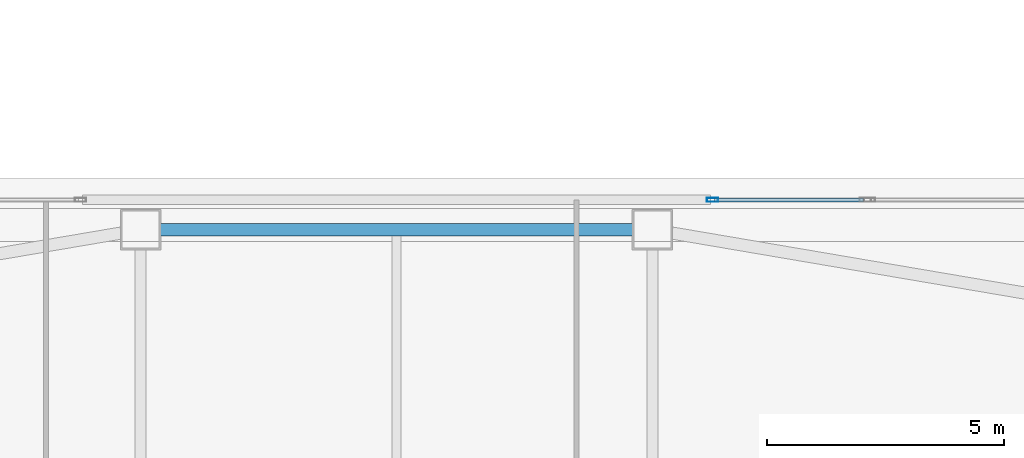
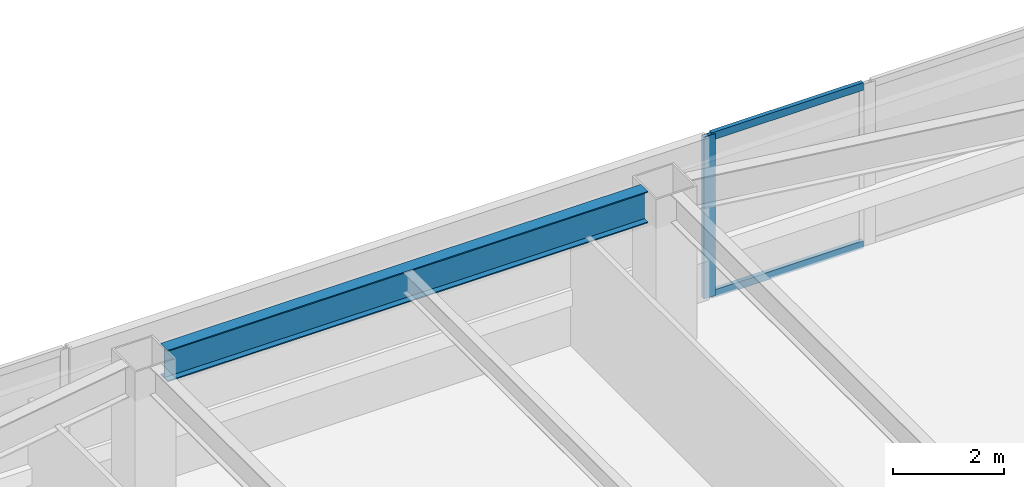
# One storey, part 15 of 46: 3 members, 1 beam, 1 element without a shape of its own.
"""IFC4 building model written with IfcOpenShell, lengths in metres."""

from ifc_helpers import new_model, si_unit, direction, frame, origin, origin_2d, place, context, subcontext, project, spatial, hollow_rectangle, i_section, extrude, material, material_profile, profile_set, type_object, element, aggregate, save


model = new_model("IFC4")

# Units and contexts
model_context = context("Model", 3, precision=1e-05, world=origin(), true_north=direction((0.0, 1.0)))
body_context = subcontext(model_context, "Body", "Model", "MODEL_VIEW")
ifc_project = project(units=[si_unit("LENGTHUNIT", "METRE"), si_unit("AREAUNIT", "SQUARE_METRE"), si_unit("VOLUMEUNIT", "CUBIC_METRE"), si_unit("PLANEANGLEUNIT", "RADIAN"), si_unit("MASSUNIT", "GRAM", prefix="KILO")], contexts=[model_context])

# Site, building, storey
site_placement = place(None, origin())
site = spatial("IfcSite", under=ifc_project, at=site_placement, CompositionType="ELEMENT")
building_placement = place(site_placement, origin())
building = spatial("IfcBuilding", under=site, at=building_placement, Name="Tashvorn Skyway Center", CompositionType="ELEMENT")
storey_placement = place(building_placement, frame((0.0, 0.0, 31.699951171875)))
storey = spatial("IfcBuildingStorey", under=building, at=storey_placement, Name="L07", CompositionType="ELEMENT", Elevation=31.699951171875)

# Beam
ifc_material_1 = material(Name="Steel ASTM A992 Grade 50", Category="steel")
ifc_material_profile_1 = material_profile(ifc_material_1, i_section(OverallWidth=0.256103515625, OverallDepth=0.693115234375, WebThickness=0.014404296875, FlangeThickness=0.023681640625, at=origin_2d()), Name="W27X114")
ifc_profile_set_1 = profile_set([ifc_material_profile_1], Name="Steel ASTM A992 Grade 50")
beam_type = type_object("IfcBeamType", Name="BM-SPANDREL-W27X114", PredefinedType="SPANDREL", material=ifc_profile_set_1)
beam_placement = place(storey_placement, frame((46.97998046875, 54.25, 3.003662109375), z_axis=(-1.0, 0.0, 0.0), x_axis=(0.0, -1.0, 0.0)))
element("IfcBeam", 1, at=beam_placement, inside=storey, type_object=beam_type, Name="Tower 1 L07 Spandrel Beam 08", PredefinedType="SPANDREL", context=body_context, shape_type="SweptSolid", body=[
    extrude(i_section(OverallWidth=0.256103515625, OverallDepth=0.693115234375, WebThickness=0.014404296875, FlangeThickness=0.023681640625, at=origin_2d()), origin(), (0.0, 0.0, 1.0), 9.9599609375),
])

# Curtain wall, members
ifc_material_2 = material(Name="Thermally broken bronze-anodized aluminium 6063-T6", Category="aluminium")
curtain_wall_type = type_object("IfcCurtainWallType", Name="CW-CW-Z1", PredefinedType="NOTDEFINED", material=ifc_material_2)
curtain_wall_placement = place(storey_placement, origin())
curtain_wall = element("IfcCurtainWall", 2, at=curtain_wall_placement, inside=storey, type_object=curtain_wall_type, Name="Tower 1 L07 North Unitised Curtain Wall Glazing Group 3", PredefinedType="NOTDEFINED")
ifc_material_profile_2 = material_profile(ifc_material_2, hollow_rectangle(XDim=0.0849609375, YDim=0.239990234375, WallThickness=0.0048828125, at=origin_2d()), Name="ALU-MULL-85x240")
ifc_profile_set_2 = profile_set([ifc_material_profile_2], Name="Thermally broken bronze-anodized aluminium 6063-T6")
member_type_1 = type_object("IfcMemberType", Name="CWM-CW-Z1", PredefinedType="MULLION", material=ifc_profile_set_2)
member_1_placement = place(storey_placement, frame((48.669189453125, 54.8798828125, 0.0), z_axis=(0.0, 0.0, 1.0), x_axis=(0.0, 1.0, 0.0)))
member_1 = element("IfcMember", 3, at=member_1_placement, type_object=member_type_1, Name="CW-Z1 mullion 1", PredefinedType="MULLION", context=body_context, shape_type="SweptSolid", body=[
    extrude(hollow_rectangle(XDim=0.0849609375, YDim=0.239990234375, WallThickness=0.0048828125, at=origin_2d()), origin(), (0.0, 0.0, 1.0), 3.550048828125),
])
ifc_material_profile_3 = material_profile(ifc_material_2, hollow_rectangle(XDim=0.0849609375, YDim=0.1650390625, WallThickness=0.0048828125, at=origin_2d()), Name="ALU-TRAN-85x165")
ifc_profile_set_3 = profile_set([ifc_material_profile_3], Name="Thermally broken bronze-anodized aluminium 6063-T6")
member_type_2 = type_object("IfcMemberType", Name="CWT-CW-Z1", PredefinedType="USERDEFINED", material=ifc_profile_set_3)
member_2_placement = place(storey_placement, frame((48.711669921875, 54.8798828125, 0.04248046875), z_axis=(1.0, 0.0, 0.0), x_axis=(0.0, 1.0, 0.0)))
member_2 = element("IfcMember", 4, at=member_2_placement, type_object=member_type_2, Name="CW-Z1 transom 1.1", ObjectType="TRANSOM", PredefinedType="USERDEFINED", context=body_context, shape_type="SweptSolid", body=[
    extrude(hollow_rectangle(XDim=0.0849609375, YDim=0.1650390625, WallThickness=0.0048828125, at=origin_2d()), origin(), (0.0, 0.0, 1.0), 3.143310546875),
])
member_3_placement = place(storey_placement, frame((48.711669921875, 54.8798828125, 3.507568359375), z_axis=(1.0, 0.0, 0.0), x_axis=(0.0, 1.0, 0.0)))
member_3 = element("IfcMember", 5, at=member_3_placement, type_object=member_type_2, Name="CW-Z1 transom 1.2", ObjectType="TRANSOM", PredefinedType="USERDEFINED", context=body_context, shape_type="SweptSolid", body=[
    extrude(hollow_rectangle(XDim=0.0849609375, YDim=0.1650390625, WallThickness=0.0048828125, at=origin_2d()), origin(), (0.0, 0.0, 1.0), 3.143310546875),
])
aggregate(curtain_wall, [member_1, member_2, member_3])

save(model, "model.ifc")
